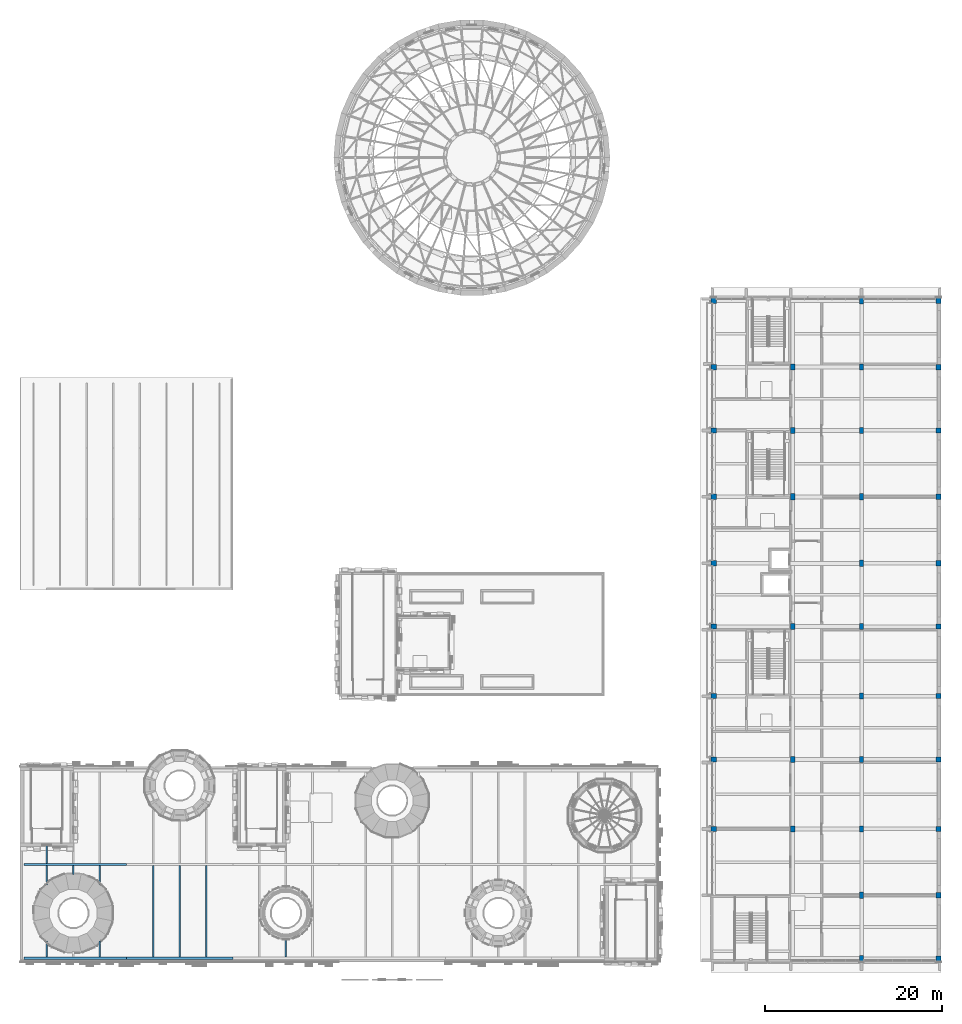
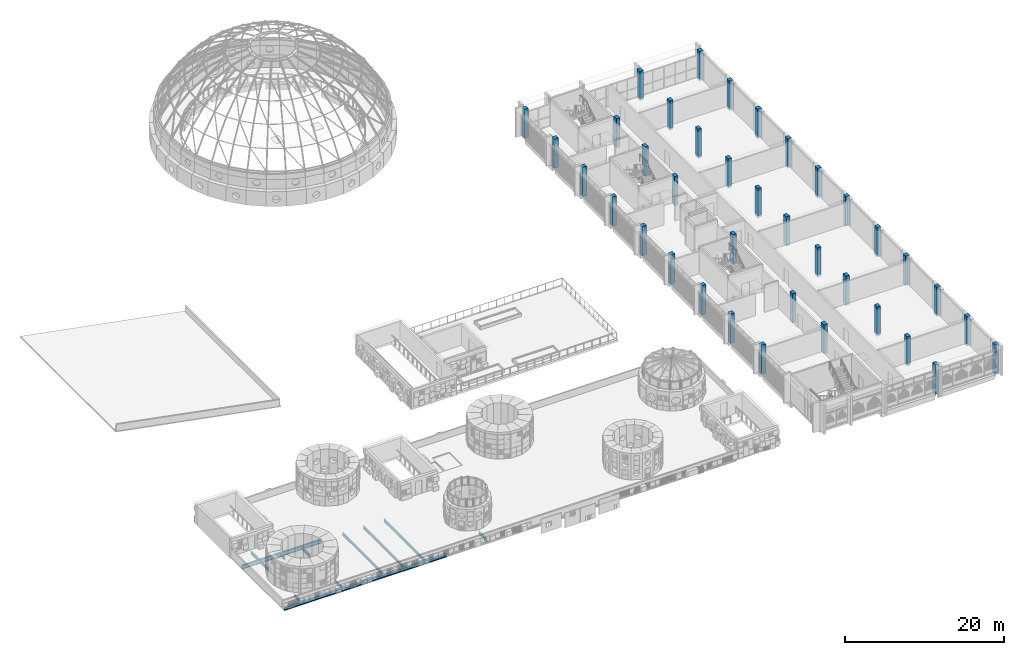
# One storey, part 1 of 98: 37 columns, 10 members, 3 beams.
"""IFC4 building model written with IfcOpenShell, lengths in metres."""

from ifc_helpers import new_model, si_unit, direction, frame, origin, origin_2d, place, context, subcontext, project, spatial, rectangle, i_section, extrude, material, material_profile, profile_set, type_object, element, save


model = new_model("IFC4")

# Units and contexts
model_context = context("Model", 3, precision=1e-05, world=origin(), true_north=direction((0.0, 1.0)))
body_context = subcontext(model_context, "Body", "Model", "MODEL_VIEW")
ifc_project = project(units=[si_unit("LENGTHUNIT", "METRE"), si_unit("AREAUNIT", "SQUARE_METRE"), si_unit("VOLUMEUNIT", "CUBIC_METRE"), si_unit("PLANEANGLEUNIT", "RADIAN"), si_unit("MASSUNIT", "GRAM", prefix="KILO")], contexts=[model_context])

# Site, building, storey
site_placement = place(None, origin())
site = spatial("IfcSite", under=ifc_project, at=site_placement, CompositionType="ELEMENT")
building_placement = place(site_placement, origin())
building = spatial("IfcBuilding", under=site, at=building_placement, Name="Sun Court Science Centre", CompositionType="ELEMENT")
storey_placement = place(building_placement, frame((0.0, 0.0, 15.75)))
storey = spatial("IfcBuildingStorey", under=building, at=storey_placement, Name="L03", CompositionType="ELEMENT", Elevation=15.75)

# Columns
ifc_material_1 = material(Name="Concrete C30/37", Category="concrete")
ifc_material_profile_1 = material_profile(ifc_material_1, rectangle(XDim=0.5, YDim=0.699951171875, at=origin_2d()), Name="RC 500x700")
ifc_profile_set_1 = profile_set([ifc_material_profile_1], Name="Concrete C30/37")
column_type_1 = type_object("IfcColumnType", Name="RC column 500x700", PredefinedType="COLUMN", material=ifc_profile_set_1)
for number, where, z_axis, x_axis, name in (
    (1, (87.25, 21.0, -0.300048828125), (0.0, 0.0, 1.0), (1.0, 0.0, 0.0), "Column 14D L03"),
    (2, (87.25, 28.85009765625, -0.300048828125), (0.0, 0.0, 1.0), (1.0, 0.0, 0.0), "Column 14F L03"),
    (3, (87.25, 43.85009765625, -0.300048828125), (0.0, 0.0, 1.0), (1.0, 0.0, 0.0), "Column 14J L03"),
    (4, (87.25, 58.5, -0.300048828125), (0.0, 0.0, 1.0), (1.0, 0.0, 0.0), "Column 14P L03"),
    (5, (87.25, 66.0, -0.300048828125), (0.0, 0.0, 1.0), (1.0, 0.0, 0.0), "Column 14R L03"),
    (6, (87.25, 73.14990234375, -0.300048828125), (0.0, 0.0, 1.0), (1.0, 0.0, 0.0), "Column 14U L03"),
    (7, (95.0, 6.35009765625, -0.300048828125), (0.0, 0.0, 1.0), (1.0, 0.0, 0.0), "Column 15A L03"),
    (8, (95.0, 13.5, -0.300048828125), (0.0, 0.0, 1.0), (1.0, 0.0, 0.0), "Column 15B L03"),
    (9, (95.0, 21.0, -0.300048828125), (0.0, 0.0, 1.0), (1.0, 0.0, 0.0), "Column 15D L03"),
    (10, (95.0, 28.85009765625, -0.300048828125), (0.0, 0.0, 1.0), (1.0, 0.0, 0.0), "Column 15F L03"),
    (11, (95.0, 36.0, -0.300048828125), (0.0, 0.0, 1.0), (1.0, 0.0, 0.0), "Column 15G L03"),
    (12, (95.0, 43.85009765625, -0.300048828125), (0.0, 0.0, 1.0), (1.0, 0.0, 0.0), "Column 15J L03"),
    (13, (95.0, 51.0, -0.300048828125), (0.0, 0.0, 1.0), (1.0, 0.0, 0.0), "Column 15M L03"),
    (14, (95.0, 58.5, -0.300048828125), (0.0, 0.0, 1.0), (1.0, 0.0, 0.0), "Column 15P L03"),
    (15, (95.0, 66.0, -0.300048828125), (0.0, 0.0, 1.0), (1.0, 0.0, 0.0), "Column 15R L03"),
    (16, (95.0, 73.14990234375, -0.300048828125), (0.0, 0.0, 1.0), (1.0, 0.0, 0.0), "Column 15U L03"),
    (17, (95.0, 80.64990234375, -0.300048828125), (0.0, 0.0, 1.0), (1.0, 0.0, 0.0), "Column 15V L03"),
):
    element("IfcColumn", number, at=place(storey_placement, frame(where, z_axis=z_axis, x_axis=x_axis)), inside=storey, type_object=column_type_1, Name=name, PredefinedType="COLUMN", context=body_context, shape_type="SweptSolid", body=[
        extrude(rectangle(XDim=0.5, YDim=0.699951171875, at=origin_2d()), origin(), (0.0, 0.0, 1.0), 4.5),
    ])
ifc_material_2 = material(Name="Concrete C30/37", Category="concrete")
ifc_material_profile_2 = material_profile(ifc_material_2, rectangle(XDim=0.60009765625, YDim=0.60009765625, at=origin_2d()), Name="RC 600x600")
ifc_profile_set_2 = profile_set([ifc_material_profile_2], Name="Concrete C30/37")
column_type_2 = type_object("IfcColumnType", Name="RC column 600x600", PredefinedType="COLUMN", material=ifc_profile_set_2)
for number, where, z_axis, x_axis, name in (
    (18, (78.300048828125, 21.0, -0.300048828125), (0.0, 0.0, 1.0), (1.0, 0.0, 0.0), "Column 12D L03"),
    (19, (78.300048828125, 28.85009765625, -0.300048828125), (0.0, 0.0, 1.0), (1.0, 0.0, 0.0), "Column 12F L03"),
    (20, (78.300048828125, 36.0, -0.300048828125), (0.0, 0.0, 1.0), (1.0, 0.0, 0.0), "Column 12G L03"),
    (21, (78.300048828125, 43.85009765625, -0.300048828125), (0.0, 0.0, 1.0), (1.0, 0.0, 0.0), "Column 12J L03"),
    (22, (78.300048828125, 51.0, -0.300048828125), (0.0, 0.0, 1.0), (1.0, 0.0, 0.0), "Column 12M L03"),
    (23, (78.300048828125, 58.5, -0.300048828125), (0.0, 0.0, 1.0), (1.0, 0.0, 0.0), "Column 12P L03"),
    (24, (78.300048828125, 66.0, -0.300048828125), (0.0, 0.0, 1.0), (1.0, 0.0, 0.0), "Column 12R L03"),
    (25, (78.300048828125, 73.14990234375, -0.300048828125), (0.0, 0.0, 1.0), (1.0, 0.0, 0.0), "Column 12U L03"),
    (26, (78.300048828125, 80.64990234375, -0.300048828125), (0.0, 0.0, 1.0), (1.0, 0.0, 0.0), "Column 12V L03"),
    (27, (103.699951171875, 6.35009765625, -0.300048828125), (0.0, 0.0, 1.0), (1.0, 0.0, 0.0), "Column 16A L03"),
    (28, (103.699951171875, 13.5, -0.300048828125), (0.0, 0.0, 1.0), (1.0, 0.0, 0.0), "Column 16B L03"),
    (29, (103.699951171875, 21.0, -0.300048828125), (0.0, 0.0, 1.0), (1.0, 0.0, 0.0), "Column 16D L03"),
    (30, (103.699951171875, 28.85009765625, -0.300048828125), (0.0, 0.0, 1.0), (1.0, 0.0, 0.0), "Column 16F L03"),
    (31, (103.699951171875, 36.0, -0.300048828125), (0.0, 0.0, 1.0), (1.0, 0.0, 0.0), "Column 16G L03"),
    (32, (103.699951171875, 43.85009765625, -0.300048828125), (0.0, 0.0, 1.0), (1.0, 0.0, 0.0), "Column 16J L03"),
    (33, (103.699951171875, 51.0, -0.300048828125), (0.0, 0.0, 1.0), (1.0, 0.0, 0.0), "Column 16M L03"),
    (34, (103.699951171875, 58.5, -0.300048828125), (0.0, 0.0, 1.0), (1.0, 0.0, 0.0), "Column 16P L03"),
    (35, (103.699951171875, 66.0, -0.300048828125), (0.0, 0.0, 1.0), (1.0, 0.0, 0.0), "Column 16R L03"),
    (36, (103.699951171875, 73.14990234375, -0.300048828125), (0.0, 0.0, 1.0), (1.0, 0.0, 0.0), "Column 16U L03"),
    (37, (103.699951171875, 80.64990234375, -0.300048828125), (0.0, 0.0, 1.0), (1.0, 0.0, 0.0), "Column 16V L03"),
):
    element("IfcColumn", number, at=place(storey_placement, frame(where, z_axis=z_axis, x_axis=x_axis)), inside=storey, type_object=column_type_2, Name=name, PredefinedType="COLUMN", context=body_context, shape_type="SweptSolid", body=[
        extrude(rectangle(XDim=0.60009765625, YDim=0.60009765625, at=origin_2d()), origin(), (0.0, 0.0, 1.0), 4.5),
    ])

# Members
ifc_material_3 = material(Name="Steel S275", Category="steel")
ifc_material_profile_3 = material_profile(ifc_material_3, i_section(OverallWidth=0.179931640625, OverallDepth=0.39990234375, WebThickness=0.008544921875, FlangeThickness=0.013427734375, FilletRadius=0.02099609375, at=origin_2d()), Name="IPE 400")
ifc_profile_set_3 = profile_set([ifc_material_profile_3], Name="Steel S275")
member_type = type_object("IfcMemberType", Name="Roof purlin IPE 400", PredefinedType="PURLIN", material=ifc_profile_set_3)
member_1_placement = place(storey_placement, frame((3.0, 6.550048828125, -0.35009765625), z_axis=(0.0, 1.0, 0.0), x_axis=(-1.0, 0.0, 0.0)))
element("IfcMember", 38, at=member_1_placement, inside=storey, type_object=member_type, Name="Roof purlin", PredefinedType="PURLIN", context=body_context, shape_type="SweptSolid", body=[
    extrude(i_section(OverallWidth=0.179931640625, OverallDepth=0.39990234375, WebThickness=0.008544921875, FlangeThickness=0.013427734375, FilletRadius=0.02099609375, at=origin_2d()), origin(), (0.0, 0.0, 1.0), 1.7802734375),
])
member_2_placement = place(storey_placement, frame((3.0, 14.669677734375, -0.35009765625), z_axis=(0.0, 1.0, 0.0), x_axis=(-1.0, 0.0, 0.0)))
element("IfcMember", 39, at=member_2_placement, inside=storey, type_object=member_type, Name="Roof purlin", PredefinedType="PURLIN", context=body_context, shape_type="SweptSolid", body=[
    extrude(i_section(OverallWidth=0.179931640625, OverallDepth=0.39990234375, WebThickness=0.008544921875, FlangeThickness=0.013427734375, FilletRadius=0.02099609375, at=origin_2d()), origin(), (0.0, 0.0, 1.0), 2.22021484375),
])
member_3_placement = place(storey_placement, frame((3.0, 17.110107421875, -0.35009765625), z_axis=(0.0, 1.0, 0.0), x_axis=(-1.0, 0.0, 0.0)))
element("IfcMember", 40, at=member_3_placement, inside=storey, type_object=member_type, Name="Roof purlin", PredefinedType="PURLIN", context=body_context, shape_type="SweptSolid", body=[
    extrude(i_section(OverallWidth=0.179931640625, OverallDepth=0.39990234375, WebThickness=0.008544921875, FlangeThickness=0.013427734375, FilletRadius=0.02099609375, at=origin_2d()), origin(), (0.0, 0.0, 1.0), 1.989990234375),
])
member_4_placement = place(storey_placement, frame((6.0, 15.862548828125, -0.35009765625), z_axis=(0.0, 1.0, 0.0), x_axis=(-1.0, 0.0, 0.0)))
element("IfcMember", 41, at=member_4_placement, inside=storey, type_object=member_type, Name="Roof purlin", PredefinedType="PURLIN", context=body_context, shape_type="SweptSolid", body=[
    extrude(i_section(OverallWidth=0.179931640625, OverallDepth=0.39990234375, WebThickness=0.008544921875, FlangeThickness=0.013427734375, FilletRadius=0.02099609375, at=origin_2d()), origin(), (0.0, 0.0, 1.0), 1.02734375),
])
member_5_placement = place(storey_placement, frame((9.0, 6.550048828125, -0.35009765625), z_axis=(0.0, 1.0, 0.0), x_axis=(-1.0, 0.0, 0.0)))
element("IfcMember", 42, at=member_5_placement, inside=storey, type_object=member_type, Name="Roof purlin", PredefinedType="PURLIN", context=body_context, shape_type="SweptSolid", body=[
    extrude(i_section(OverallWidth=0.179931640625, OverallDepth=0.39990234375, WebThickness=0.008544921875, FlangeThickness=0.013427734375, FilletRadius=0.02099609375, at=origin_2d()), origin(), (0.0, 0.0, 1.0), 1.7802734375),
])
member_6_placement = place(storey_placement, frame((9.0, 14.669677734375, -0.35009765625), z_axis=(0.0, 1.0, 0.0), x_axis=(-1.0, 0.0, 0.0)))
element("IfcMember", 43, at=member_6_placement, inside=storey, type_object=member_type, Name="Roof purlin", PredefinedType="PURLIN", context=body_context, shape_type="SweptSolid", body=[
    extrude(i_section(OverallWidth=0.179931640625, OverallDepth=0.39990234375, WebThickness=0.008544921875, FlangeThickness=0.013427734375, FilletRadius=0.02099609375, at=origin_2d()), origin(), (0.0, 0.0, 1.0), 2.22021484375),
])
for number, where, z_axis, x_axis, name in (
    (44, (15.0, 6.550048828125, -0.35009765625), (0.0, 1.0, 0.0), (-1.0, 0.0, 0.0), "Roof purlin"),
    (45, (18.0, 6.550048828125, -0.35009765625), (0.0, 1.0, 0.0), (-1.0, 0.0, 0.0), "Roof purlin"),
    (46, (21.0, 6.550048828125, -0.35009765625), (0.0, 1.0, 0.0), (-1.0, 0.0, 0.0), "Roof purlin"),
):
    element("IfcMember", number, at=place(storey_placement, frame(where, z_axis=z_axis, x_axis=x_axis)), inside=storey, type_object=member_type, Name=name, PredefinedType="PURLIN", context=body_context, shape_type="SweptSolid", body=[
        extrude(i_section(OverallWidth=0.179931640625, OverallDepth=0.39990234375, WebThickness=0.008544921875, FlangeThickness=0.013427734375, FilletRadius=0.02099609375, at=origin_2d()), origin(), (0.0, 0.0, 1.0), 10.33984375),
    ])
member_7_placement = place(storey_placement, frame((30.0, 6.550048828125, -0.35009765625), z_axis=(0.0, 1.0, 0.0), x_axis=(-1.0, 0.0, 0.0)))
element("IfcMember", 47, at=member_7_placement, inside=storey, type_object=member_type, Name="Roof purlin", PredefinedType="PURLIN", context=body_context, shape_type="SweptSolid", body=[
    extrude(i_section(OverallWidth=0.179931640625, OverallDepth=0.39990234375, WebThickness=0.008544921875, FlangeThickness=0.013427734375, FilletRadius=0.02099609375, at=origin_2d()), origin(), (0.0, 0.0, 1.0), 2.107666015625),
])

# Beams
ifc_material_4 = material(Name="Steel S355", Category="steel")
ifc_material_profile_4 = material_profile(ifc_material_4, i_section(OverallWidth=0.300048828125, OverallDepth=0.489990234375, WebThickness=0.011962890625, FlangeThickness=0.02294921875, FilletRadius=0.027099609375, at=origin_2d()), Name="HEA 500")
ifc_profile_set_4 = profile_set([ifc_material_profile_4], Name="Steel S355")
beam_type_1 = type_object("IfcBeamType", Name="Steel beam HEA 500", PredefinedType="BEAM", material=ifc_profile_set_4)
beam_1_placement = place(storey_placement, frame((0.40087890625, 6.39990234375, -0.39501953125), z_axis=(1.0, 0.0, 0.0), x_axis=(0.0, 1.0, 0.0)))
element("IfcBeam", 48, at=beam_1_placement, inside=storey, type_object=beam_type_1, Name="Roof girder line 1", PredefinedType="BEAM", context=body_context, shape_type="SweptSolid", body=[
    extrude(i_section(OverallWidth=0.300048828125, OverallDepth=0.489990234375, WebThickness=0.011962890625, FlangeThickness=0.02294921875, FilletRadius=0.027099609375, at=origin_2d()), origin(), (0.0, 0.0, 1.0), 11.59814453125),
])
beam_2_placement = place(storey_placement, frame((12.0009765625, 6.39990234375, -0.39501953125), z_axis=(1.0, 0.0, 0.0), x_axis=(0.0, 1.0, 0.0)))
element("IfcBeam", 49, at=beam_2_placement, inside=storey, type_object=beam_type_1, Name="Roof girder line 1", PredefinedType="BEAM", context=body_context, shape_type="SweptSolid", body=[
    extrude(i_section(OverallWidth=0.300048828125, OverallDepth=0.489990234375, WebThickness=0.011962890625, FlangeThickness=0.02294921875, FilletRadius=0.027099609375, at=origin_2d()), origin(), (0.0, 0.0, 1.0), 11.998046875),
])
ifc_material_5 = material(Name="Steel S355", Category="steel")
ifc_material_profile_5 = material_profile(ifc_material_5, i_section(OverallWidth=0.219970703125, OverallDepth=0.60009765625, WebThickness=0.011962890625, FlangeThickness=0.01904296875, FilletRadius=0.02392578125, at=origin_2d()), Name="IPE 600")
ifc_profile_set_5 = profile_set([ifc_material_profile_5], Name="Steel S355")
beam_type_2 = type_object("IfcBeamType", Name="Steel beam IPE 600", PredefinedType="BEAM", material=ifc_profile_set_5)
beam_3_placement = place(storey_placement, frame((0.40087890625, 17.0, -0.449951171875), z_axis=(1.0, 0.0, 0.0), x_axis=(0.0, 1.0, 0.0)))
element("IfcBeam", 50, at=beam_3_placement, inside=storey, type_object=beam_type_2, Name="Roof girder line 2", PredefinedType="BEAM", context=body_context, shape_type="SweptSolid", body=[
    extrude(i_section(OverallWidth=0.219970703125, OverallDepth=0.60009765625, WebThickness=0.011962890625, FlangeThickness=0.01904296875, FilletRadius=0.02392578125, at=origin_2d()), origin(), (0.0, 0.0, 1.0), 11.59814453125),
])

save(model, "model.ifc")
